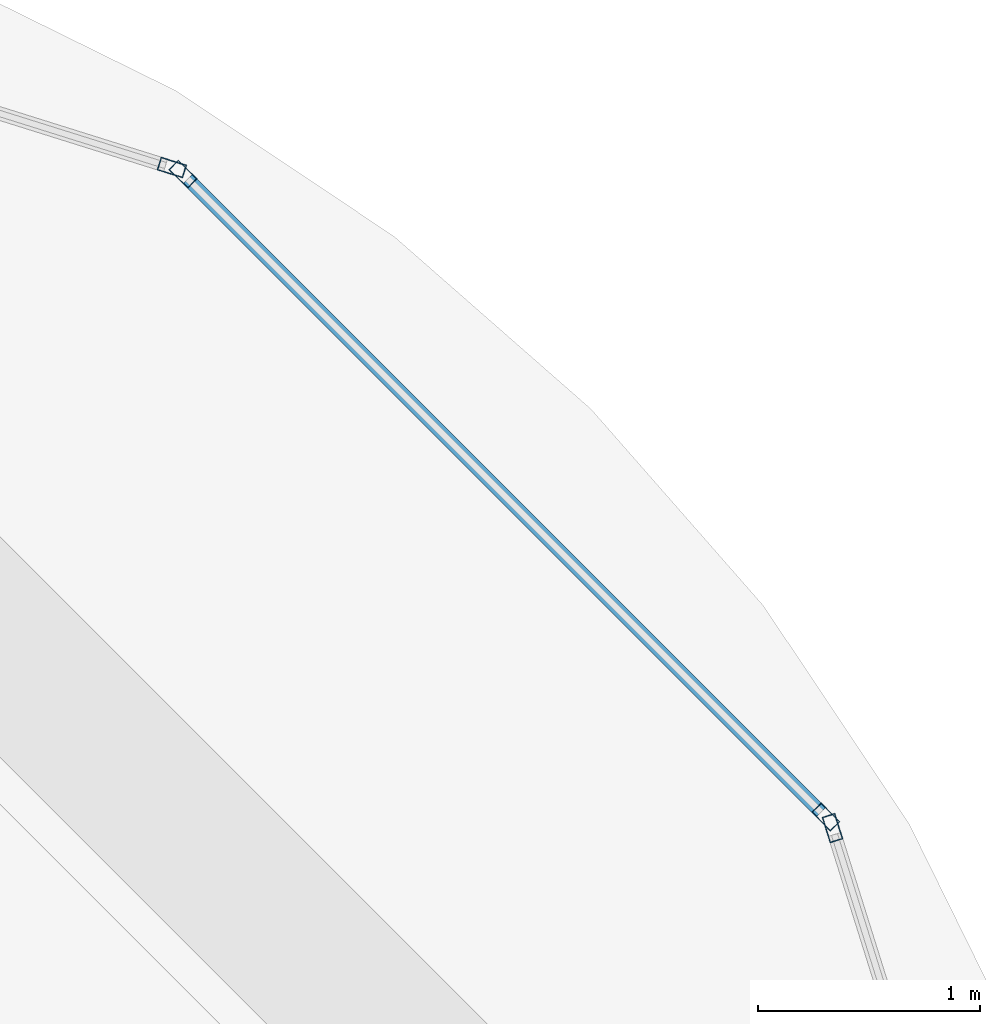
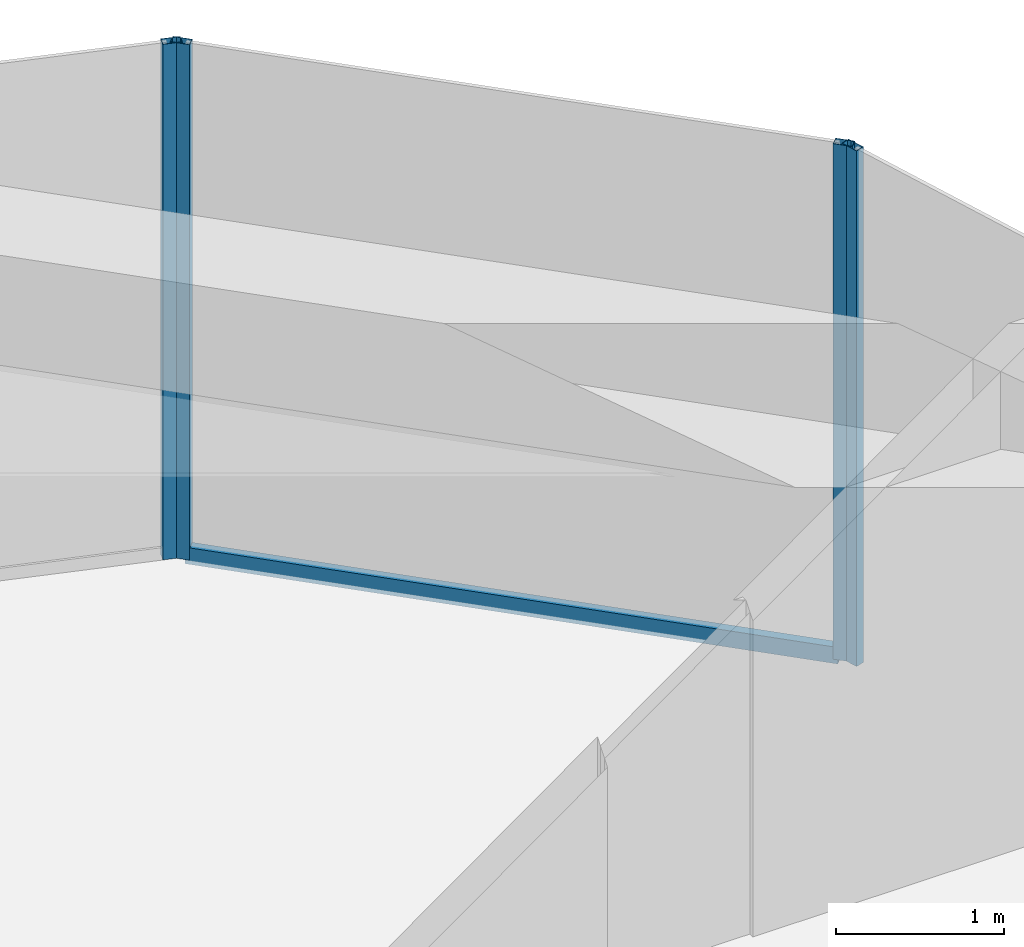
# One storey, part 39 of 44: 5 members, 3 elements without a shape of their own.
"""IFC4 building model written with IfcOpenShell, lengths in metres."""

from ifc_helpers import new_model, si_unit, direction, frame, origin, origin_2d, place, context, subcontext, project, spatial, hollow_rectangle, extrude, material, material_profile, profile_set, type_object, element, aggregate, save


model = new_model("IFC4")

# Units and contexts
model_context = context("Model", 3, precision=1e-05, world=origin(), true_north=direction((0.0, 1.0)))
body_context = subcontext(model_context, "Body", "Model", "MODEL_VIEW")
ifc_project = project(units=[si_unit("LENGTHUNIT", "METRE"), si_unit("AREAUNIT", "SQUARE_METRE"), si_unit("VOLUMEUNIT", "CUBIC_METRE"), si_unit("PLANEANGLEUNIT", "RADIAN"), si_unit("MASSUNIT", "GRAM", prefix="KILO")], contexts=[model_context])

# Site, building, storey
site_placement = place(None, origin())
site = spatial("IfcSite", under=ifc_project, at=site_placement, CompositionType="ELEMENT")
building_placement = place(site_placement, origin())
building = spatial("IfcBuilding", under=site, at=building_placement, Name="Zorevar Civic Tower", CompositionType="ELEMENT")
storey_placement = place(building_placement, frame((0.0, 0.0, 283.39990234375)))
storey = spatial("IfcBuildingStorey", under=building, at=storey_placement, Name="L69", CompositionType="ELEMENT", Elevation=283.39990234375)

# Curtain wall, member
ifc_material_1 = material(Name="Dark grey solar-control glass in black aluminium frame", Category="aluminium")
curtain_wall_type = type_object("IfcCurtainWallType", Name="Curtain wall CW5 top zone", PredefinedType="NOTDEFINED", material=ifc_material_1)
curtain_wall_1_placement = place(storey_placement, origin())
curtain_wall_1 = element("IfcCurtainWall", 1, at=curtain_wall_1_placement, inside=storey, type_object=curtain_wall_type, Name="CW5 L69", PredefinedType="NOTDEFINED")
ifc_material_2 = material(Name="Aluminium, black anodised", Category="aluminium")
ifc_material_profile_1 = material_profile(ifc_material_2, hollow_rectangle(XDim=0.06005859375, YDim=0.1201171875, WallThickness=0.0029296875, at=origin_2d()), Name="AL 120x60x3")
ifc_profile_set_1 = profile_set([ifc_material_profile_1], Name="Aluminium, black anodised")
member_type_1 = type_object("IfcMemberType", Name="CW5 mullion AL 120x60x3", PredefinedType="MULLION", material=ifc_profile_set_1)
member_1_placement = place(storey_placement, frame((52.449951171875, 40.479248046875, 0.0), z_axis=(0.0, 0.0, 1.0), x_axis=(-0.954153437674, -0.299317920238, 0.0)))
member_1 = element("IfcMember", 2, at=member_1_placement, type_object=member_type_1, Name="CW5 mullion 2", PredefinedType="MULLION", context=body_context, shape_type="SweptSolid", body=[
    extrude(hollow_rectangle(XDim=0.06005859375, YDim=0.1201171875, WallThickness=0.0029296875, at=origin_2d()), origin(), (0.0, 0.0, 1.0), 3.75),
])
aggregate(curtain_wall_1, [member_1])

# Curtain wall, members
curtain_wall_2_placement = place(storey_placement, origin())
curtain_wall_2 = element("IfcCurtainWall", 3, at=curtain_wall_2_placement, inside=storey, type_object=curtain_wall_type, Name="CW5 L69", PredefinedType="NOTDEFINED")
member_2_placement = place(storey_placement, frame((52.419677734375, 40.529052734375, 0.0), z_axis=(0.0, 0.0, 1.0), x_axis=(-0.707106781187, -0.707106781187, 0.0)))
member_2 = element("IfcMember", 4, at=member_2_placement, type_object=member_type_1, Name="CW5 mullion 1", PredefinedType="MULLION", context=body_context, shape_type="SweptSolid", body=[
    extrude(hollow_rectangle(XDim=0.06005859375, YDim=0.1201171875, WallThickness=0.0029296875, at=origin_2d()), origin(), (0.0, 0.0, 1.0), 3.75),
])
member_3_placement = place(storey_placement, frame((49.529052734375, 43.419677734375, 0.0), z_axis=(0.0, 0.0, 1.0), x_axis=(-0.707106781187, -0.707106781187, 0.0)))
member_3 = element("IfcMember", 5, at=member_3_placement, type_object=member_type_1, Name="CW5 mullion 2", PredefinedType="MULLION", context=body_context, shape_type="SweptSolid", body=[
    extrude(hollow_rectangle(XDim=0.06005859375, YDim=0.1201171875, WallThickness=0.0029296875, at=origin_2d()), origin(), (0.0, 0.0, 1.0), 3.75),
])

# Curtain wall, member
curtain_wall_3_placement = place(storey_placement, origin())
curtain_wall_3 = element("IfcCurtainWall", 6, at=curtain_wall_3_placement, inside=storey, type_object=curtain_wall_type, Name="CW5 L69", PredefinedType="NOTDEFINED")
member_4_placement = place(storey_placement, frame((49.479248046875, 43.449951171875, 0.0), z_axis=(0.0, 0.0, 1.0), x_axis=(-0.299317920238, -0.954153437674, 0.0)))
member_4 = element("IfcMember", 7, at=member_4_placement, type_object=member_type_1, Name="CW5 mullion 1", PredefinedType="MULLION", context=body_context, shape_type="SweptSolid", body=[
    extrude(hollow_rectangle(XDim=0.06005859375, YDim=0.1201171875, WallThickness=0.0029296875, at=origin_2d()), origin(), (0.0, 0.0, 1.0), 3.75),
])
aggregate(curtain_wall_3, [member_4])

# Member
ifc_material_3 = material(Name="Aluminium, black anodised", Category="aluminium")
ifc_material_profile_2 = material_profile(ifc_material_3, hollow_rectangle(XDim=0.06005859375, YDim=0.1201171875, WallThickness=0.0029296875, at=origin_2d()), Name="AL 120x60x3")
ifc_profile_set_2 = profile_set([ifc_material_profile_2], Name="Aluminium, black anodised")
member_type_2 = type_object("IfcMemberType", Name="CW5 transom AL 120x60x3", PredefinedType="USERDEFINED", material=ifc_profile_set_2)
member_5_placement = place(storey_placement, frame((52.3984375, 40.55029296875, 0.030029296875), z_axis=(-0.707106781187, 0.707106781187, 0.0), x_axis=(-0.707106781187, -0.707106781187, 0.0)))
member_5 = element("IfcMember", 8, at=member_5_placement, type_object=member_type_2, Name="CW5 sill transom", ObjectType="TRANSOM", PredefinedType="USERDEFINED", context=body_context, shape_type="SweptSolid", body=[
    extrude(hollow_rectangle(XDim=0.06005859375, YDim=0.1201171875, WallThickness=0.0029296875, at=origin_2d()), origin(), (0.0, 0.0, 1.0), 4.02783203125),
])

aggregate(curtain_wall_2, [member_2, member_3, member_5])

save(model, "model.ifc")
